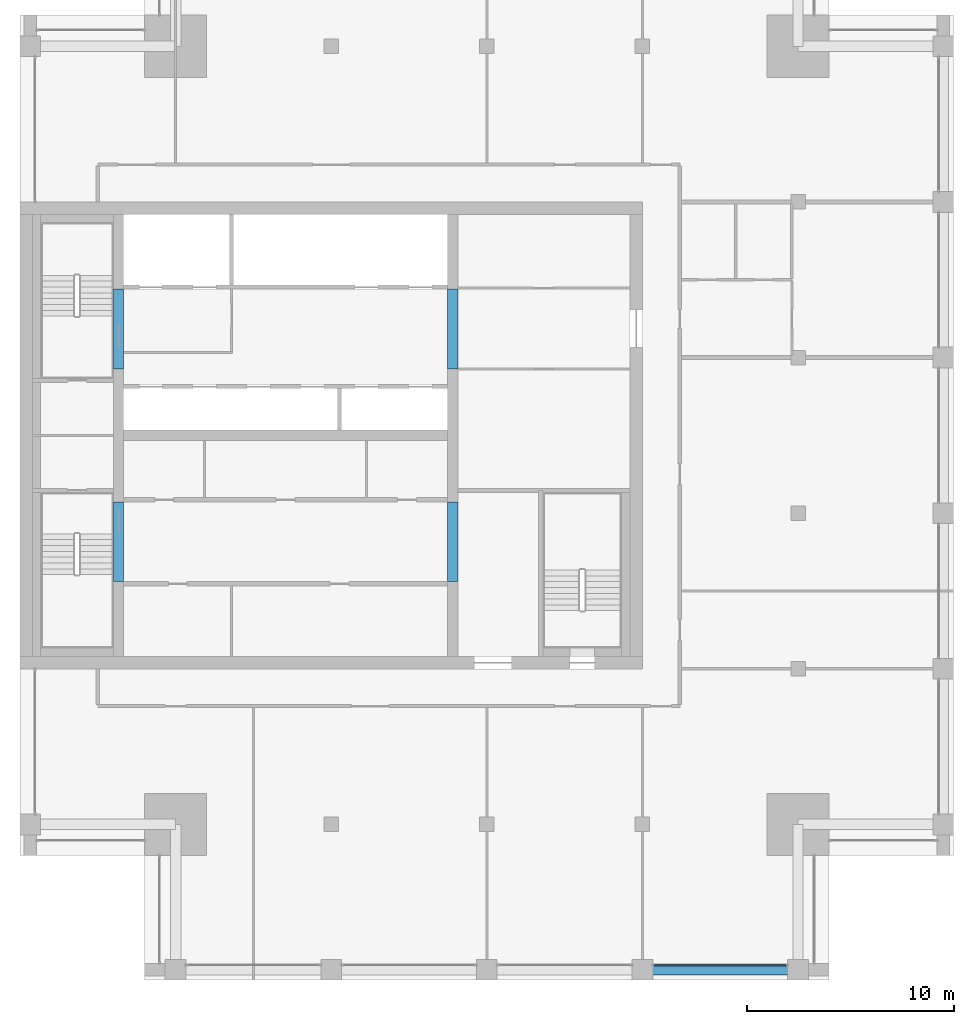
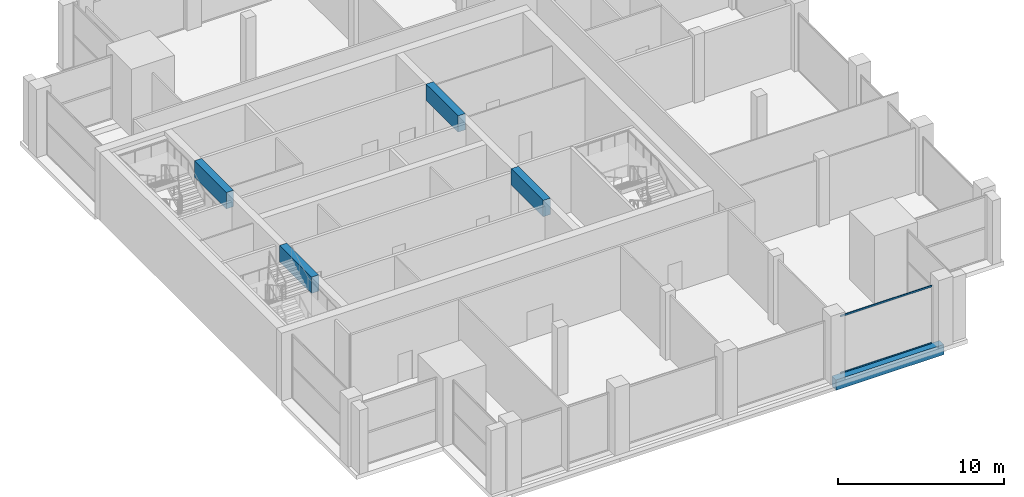
# One storey, part 3 of 15: 5 beams, 2 members, 1 element without a shape of its own.
"""IFC4 building model written with IfcOpenShell, lengths in metres."""

from ifc_helpers import new_model, si_unit, direction, frame, origin, origin_2d, place, context, subcontext, project, spatial, rectangle, extrude, material, layer, layer_set, material_profile, profile_set, type_object, element, aggregate, save


model = new_model("IFC4")

# Units and contexts
model_context = context("Model", 3, precision=1e-05, world=origin(), true_north=direction((0.0, 1.0)))
body_context = subcontext(model_context, "Body", "Model", "MODEL_VIEW")
ifc_project = project(units=[si_unit("LENGTHUNIT", "METRE"), si_unit("AREAUNIT", "SQUARE_METRE"), si_unit("VOLUMEUNIT", "CUBIC_METRE"), si_unit("PLANEANGLEUNIT", "RADIAN"), si_unit("MASSUNIT", "GRAM", prefix="KILO")], contexts=[model_context])

# Site, building, storey
site_placement = place(None, origin())
site = spatial("IfcSite", under=ifc_project, at=site_placement, CompositionType="ELEMENT")
building_placement = place(site_placement, origin())
building = spatial("IfcBuilding", under=site, at=building_placement, Name="Tamorin Gate", CompositionType="ELEMENT")
storey_placement = place(building_placement, frame((0.0, 0.0, 297.699951171875)))
storey = spatial("IfcBuildingStorey", under=building, at=storey_placement, Name="L74", CompositionType="ELEMENT", Elevation=297.699951171875)

# Curtain wall, members
ifc_material_1 = material(Name="Aluminium mullions and transoms with clear glass", Category="aluminium")
ifc_layer = layer(ifc_material_1, 0.159912109375)
ifc_layer_set = layer_set([ifc_layer], Name="Curtain wall system CW2")
curtain_wall_type = type_object("IfcCurtainWallType", Name="Curtain wall system CW2", PredefinedType="NOTDEFINED", material=ifc_layer_set)
curtain_wall_placement = place(storey_placement, origin())
curtain_wall = element("IfcCurtainWall", 1, at=curtain_wall_placement, inside=storey, type_object=curtain_wall_type, Name="Curtain wall", PredefinedType="NOTDEFINED")
ifc_material_2 = material(Name="Aluminium", Category="aluminium")
ifc_material_profile_1 = material_profile(ifc_material_2, rectangle(XDim=0.06005859375, YDim=0.1201171875, at=origin_2d()), Name="RECT 60x120")
ifc_profile_set_1 = profile_set([ifc_material_profile_1], Name="Aluminium")
member_type = type_object("IfcMemberType", Name="Aluminium transom 60x120", PredefinedType="USERDEFINED", material=ifc_profile_set_1)
member_1_placement = place(storey_placement, frame((60.56005859375, 45.719970703125, 0.030029296875), z_axis=(1.0, 0.0, 0.0), x_axis=(0.0, 1.0, 0.0)))
member_1 = element("IfcMember", 2, at=member_1_placement, type_object=member_type, Name="CW2 transom 1.1", ObjectType="TRANSOM", PredefinedType="USERDEFINED", context=body_context, shape_type="SweptSolid", body=[
    extrude(rectangle(XDim=0.06005859375, YDim=0.1201171875, at=origin_2d()), origin(), (0.0, 0.0, 1.0), 6.3798828125),
])
member_2_placement = place(storey_placement, frame((60.56005859375, 45.719970703125, 4.219970703125), z_axis=(1.0, 0.0, 0.0), x_axis=(0.0, 1.0, 0.0)))
member_2 = element("IfcMember", 3, at=member_2_placement, type_object=member_type, Name="CW2 transom 1.2", ObjectType="TRANSOM", PredefinedType="USERDEFINED", context=body_context, shape_type="SweptSolid", body=[
    extrude(rectangle(XDim=0.06005859375, YDim=0.1201171875, at=origin_2d()), origin(), (0.0, 0.0, 1.0), 6.3798828125),
])
aggregate(curtain_wall, [member_1, member_2])

# Beams
ifc_material_3 = material(Name="Concrete C50/60", Category="concrete")
ifc_material_profile_2 = material_profile(ifc_material_3, rectangle(XDim=0.5, YDim=1.199951171875, at=origin_2d()), Name="RC 500x1200")
ifc_profile_set_2 = profile_set([ifc_material_profile_2], Name="Concrete C50/60")
beam_type_1 = type_object("IfcBeamType", Name="RC coupling beam 500x1200 C50/60", PredefinedType="BEAM", material=ifc_profile_set_2)
for number, where, z_axis, x_axis, name in (
    (4, (34.75, 64.199951171875, 4.400146484375), (0.0, 1.0, 0.0), (-1.0, 0.0, 0.0), "Coupling beam L74"),
    (5, (34.75, 74.449951171875, 4.400146484375), (0.0, 1.0, 0.0), (-1.0, 0.0, 0.0), "Coupling beam L74"),
    (6, (50.85009765625, 64.199951171875, 4.400146484375), (0.0, 1.0, 0.0), (-1.0, 0.0, 0.0), "Coupling beam L74"),
    (7, (50.85009765625, 74.449951171875, 4.400146484375), (0.0, 1.0, 0.0), (-1.0, 0.0, 0.0), "Coupling beam L74"),
):
    element("IfcBeam", number, at=place(storey_placement, frame(where, z_axis=z_axis, x_axis=x_axis)), inside=storey, type_object=beam_type_1, Name=name, PredefinedType="BEAM", context=body_context, shape_type="SweptSolid", body=[
        extrude(rectangle(XDim=0.5, YDim=1.199951171875, at=origin_2d()), origin(), (0.0, 0.0, 1.0), 3.85009765625),
    ])
ifc_material_profile_3 = material_profile(ifc_material_3, rectangle(XDim=0.5, YDim=0.75, at=origin_2d()), Name="RC 500x750")
ifc_profile_set_3 = profile_set([ifc_material_profile_3], Name="Concrete C50/60")
beam_type_2 = type_object("IfcBeamType", Name="RC spandrel 500x750 C50/60", PredefinedType="BEAM", material=ifc_profile_set_3)
beam_placement = place(storey_placement, frame((60.0, 45.5, -0.375), z_axis=(1.0, 0.0, 0.0), x_axis=(0.0, 1.0, 0.0)))
element("IfcBeam", 8, at=beam_placement, inside=storey, type_object=beam_type_2, Name="Spandrel beam L74", PredefinedType="BEAM", context=body_context, shape_type="SweptSolid", body=[
    extrude(rectangle(XDim=0.5, YDim=0.75, at=origin_2d()), origin(), (0.0, 0.0, 1.0), 7.5),
])

save(model, "model.ifc")
